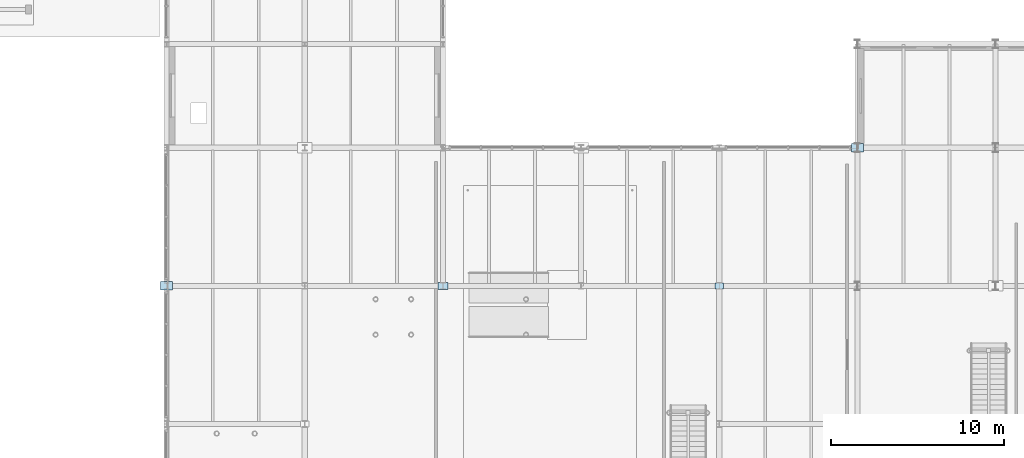
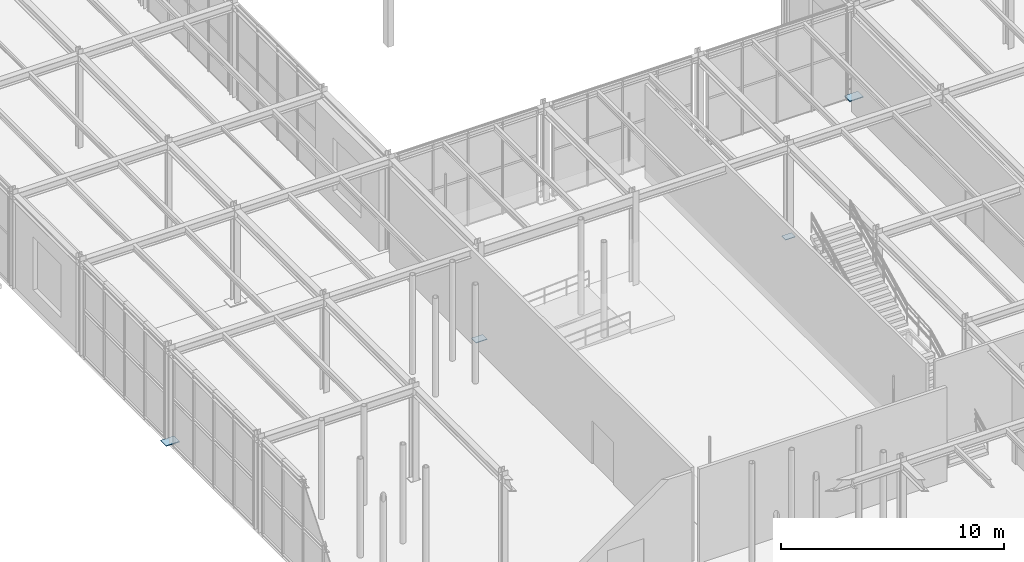
# One storey, part 67 of 129: 4 plates.
"""IFC4 building model written with IfcOpenShell, lengths in metres."""

from ifc_helpers import new_model, si_unit, direction, frame, origin, origin_2d, place, context, subcontext, project, spatial, rectangle, extrude, material, layer, layer_set, type_object, element, save


model = new_model("IFC4")

# Units and contexts
model_context = context("Model", 3, precision=1e-05, world=origin(), true_north=direction((0.0, 1.0)))
body_context = subcontext(model_context, "Body", "Model", "MODEL_VIEW")
ifc_project = project(units=[si_unit("LENGTHUNIT", "METRE"), si_unit("AREAUNIT", "SQUARE_METRE"), si_unit("VOLUMEUNIT", "CUBIC_METRE"), si_unit("PLANEANGLEUNIT", "RADIAN"), si_unit("MASSUNIT", "GRAM", prefix="KILO")], contexts=[model_context])

# Site, building, storey
site_placement = place(None, origin())
site = spatial("IfcSite", under=ifc_project, at=site_placement, CompositionType="ELEMENT")
building_placement = place(site_placement, origin())
building = spatial("IfcBuilding", under=site, at=building_placement, Name="Sundkrona Museum", CompositionType="ELEMENT")
storey_placement = place(building_placement, origin())
storey = spatial("IfcBuildingStorey", under=building, at=storey_placement, Name="L00", CompositionType="ELEMENT", Elevation=0.0)

# Plates
ifc_material = material(Name="Steel S355J2", Category="steel")
ifc_layer_1 = layer(ifc_material, 0.044921875)
ifc_layer_set_1 = layer_set([ifc_layer_1], Name="Steel S355J2")
plate_type_1 = type_object("IfcPlateType", Name="BP-2", PredefinedType="USERDEFINED", material=ifc_layer_set_1)
for number, where, z_axis, x_axis, name in (
    (1, (80.0, 32.0, 0.0), (0.0, 0.0, 1.0), (1.0, 0.0, 0.0), "Column Base Plate E/11"),
    (2, (120.0, 40.0, 0.0), (0.0, 0.0, 1.0), (1.0, 0.0, 0.0), "Column Base Plate F/16"),
):
    element("IfcPlate", number, at=place(storey_placement, frame(where, z_axis=z_axis, x_axis=x_axis)), inside=storey, type_object=plate_type_1, Name=name, ObjectType="GUSSET PLATE", PredefinedType="USERDEFINED", context=body_context, shape_type="SweptSolid", body=[
        extrude(rectangle(XDim=0.699951171875, YDim=0.5, at=origin_2d()), origin(), (0.0, 0.0, 1.0), 0.044921875),
    ])
ifc_layer_2 = layer(ifc_material, 0.0380859375)
ifc_layer_set_2 = layer_set([ifc_layer_2], Name="Steel S355J2")
plate_type_2 = type_object("IfcPlateType", Name="BP-3", PredefinedType="USERDEFINED", material=ifc_layer_set_2)
plate_1_placement = place(storey_placement, frame((96.0, 32.0, 0.0), z_axis=(0.0, 0.0, 1.0), x_axis=(1.0, 0.0, 0.0)))
element("IfcPlate", 3, at=plate_1_placement, inside=storey, type_object=plate_type_2, Name="Column Base Plate E/13", ObjectType="GUSSET PLATE", PredefinedType="USERDEFINED", context=body_context, shape_type="SweptSolid", body=[
    extrude(rectangle(XDim=0.580078125, YDim=0.419921875, at=origin_2d()), origin(), (0.0, 0.0, 1.0), 0.0380859375),
])
ifc_layer_3 = layer(ifc_material, 0.031982421875)
ifc_layer_set_3 = layer_set([ifc_layer_3], Name="Steel S355J2")
plate_type_3 = type_object("IfcPlateType", Name="BP-4", PredefinedType="USERDEFINED", material=ifc_layer_set_3)
plate_2_placement = place(storey_placement, frame((112.0, 32.0, 0.0), z_axis=(0.0, 0.0, 1.0), x_axis=(1.0, 0.0, 0.0)))
element("IfcPlate", 4, at=plate_2_placement, inside=storey, type_object=plate_type_3, Name="Column Base Plate E/15", ObjectType="GUSSET PLATE", PredefinedType="USERDEFINED", context=body_context, shape_type="SweptSolid", body=[
    extrude(rectangle(XDim=0.5, YDim=0.360107421875, at=origin_2d()), origin(), (0.0, 0.0, 1.0), 0.031982421875),
])

save(model, "model.ifc")
